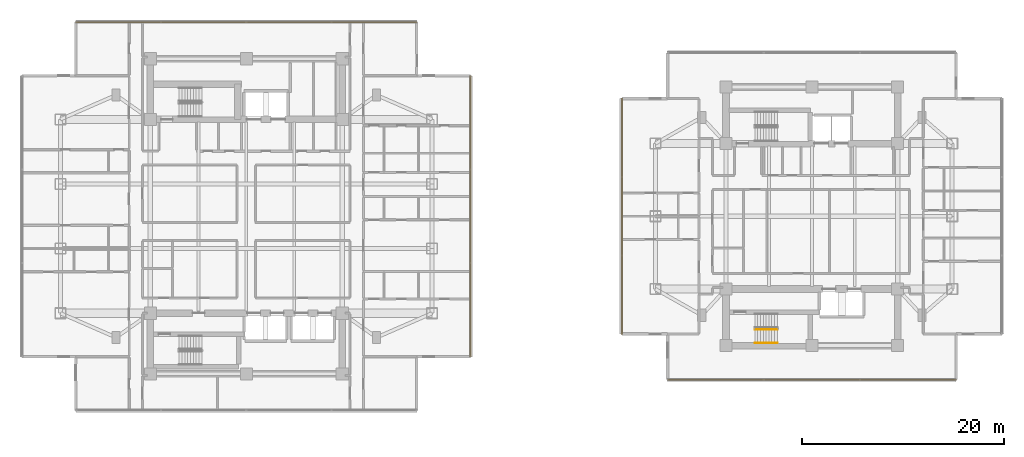
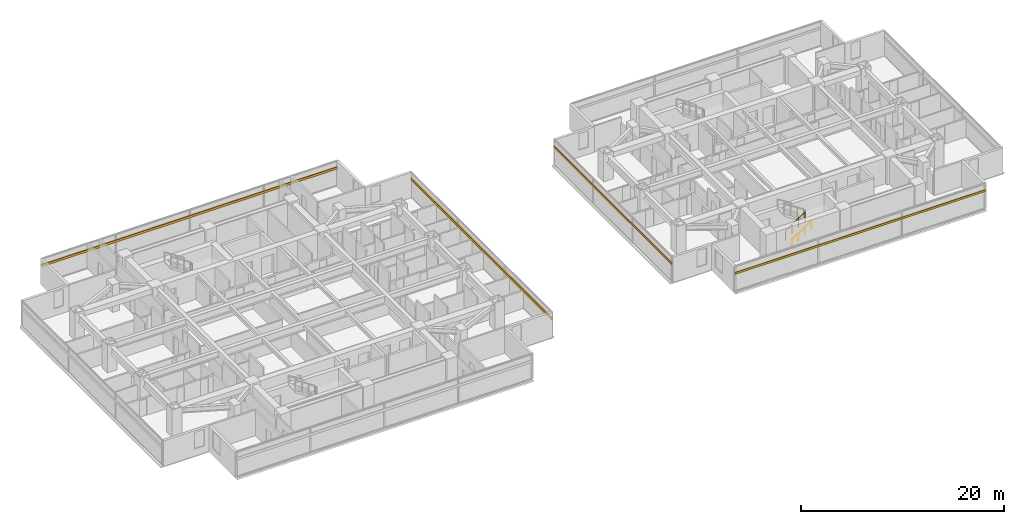
# One storey, part 23 of 25: 4 shading devices, 2 railings.
"""IFC4 building model written with IfcOpenShell, lengths in metres."""

from ifc_helpers import new_model, si_unit, direction, frame, origin, origin_2d, place, context, subcontext, project, spatial, rectangle, circle, extrude, material, material_profile, profile_set, type_object, element, save


model = new_model("IFC4")

# Units and contexts
model_context = context("Model", 3, precision=1e-05, world=origin(), true_north=direction((0.0, 1.0)))
body_context = subcontext(model_context, "Body", "Model", "MODEL_VIEW")
ifc_project = project(units=[si_unit("LENGTHUNIT", "METRE"), si_unit("AREAUNIT", "SQUARE_METRE"), si_unit("VOLUMEUNIT", "CUBIC_METRE"), si_unit("PLANEANGLEUNIT", "RADIAN"), si_unit("MASSUNIT", "GRAM", prefix="KILO")], contexts=[model_context])

# Site, building, storey
site_placement = place(None, origin())
site = spatial("IfcSite", under=ifc_project, at=site_placement, CompositionType="ELEMENT")
building_placement = place(site_placement, origin())
building = spatial("IfcBuilding", under=site, at=building_placement, Name="Mirazonda Arch Towers", CompositionType="ELEMENT")
storey_placement = place(building_placement, frame((0.0, 0.0, 111.5)))
storey = spatial("IfcBuildingStorey", under=building, at=storey_placement, Name="L31", CompositionType="ELEMENT", Elevation=111.5)

# Shading devices
ifc_material_1 = material(Name="Kiln-Fired Architectural Terracotta", Category="masonry")
ifc_material_profile_1 = material_profile(ifc_material_1, rectangle(XDim=0.1201171875, YDim=0.239990234375, at=origin_2d()), Name="TERRA-BAG-120x240")
ifc_profile_set_1 = profile_set([ifc_material_profile_1], Name="Kiln-Fired Architectural Terracotta")
shading_device_type_1 = type_object("IfcShadingDeviceType", Name="BAGUETTE-1", PredefinedType="USERDEFINED", material=ifc_profile_set_1)
shading_device_1_placement = place(storey_placement, frame((90.792236328125, 11.8193359375, 2.203125), z_axis=(-1.0, 0.0, 0.0), x_axis=(0.0, -1.0, 0.0)))
element("IfcShadingDevice", 1, at=shading_device_1_placement, inside=storey, type_object=shading_device_type_1, Name="L31 Glazed Terracotta Sun-Screen Baguette CW-L31-T2-S", ObjectType="BAGUETTE", PredefinedType="USERDEFINED", context=body_context, shape_type="SweptSolid", body=[
    extrude(rectangle(XDim=0.1201171875, YDim=0.239990234375, at=origin_2d()), origin(), (0.0, 0.0, 1.0), 28.58447265625),
])
shading_device_2_placement = place(storey_placement, frame((57.69140625, 39.664306640625, 2.203125), z_axis=(0.0, -1.0, 0.0), x_axis=(1.0, 0.0, 0.0)))
element("IfcShadingDevice", 2, at=shading_device_2_placement, inside=storey, type_object=shading_device_type_1, Name="L31 Glazed Terracotta Sun-Screen Baguette CW-L31-T2-W", ObjectType="BAGUETTE", PredefinedType="USERDEFINED", context=body_context, shape_type="SweptSolid", body=[
    extrude(rectangle(XDim=0.1201171875, YDim=0.239990234375, at=origin_2d()), origin(), (0.0, 0.0, 1.0), 23.32861328125),
])
ifc_material_profile_2 = material_profile(ifc_material_1, rectangle(XDim=0.139892578125, YDim=0.280029296875, at=origin_2d()), Name="TERRA-BAG-140x280")
ifc_profile_set_2 = profile_set([ifc_material_profile_2], Name="Kiln-Fired Architectural Terracotta")
shading_device_type_2 = type_object("IfcShadingDeviceType", Name="BAGUETTE-3", PredefinedType="USERDEFINED", material=ifc_profile_set_2)
shading_device_3_placement = place(storey_placement, frame((42.68994140625, 14.089111328125, 2.203125), z_axis=(0.0, 1.0, 0.0), x_axis=(-1.0, 0.0, 0.0)))
element("IfcShadingDevice", 3, at=shading_device_3_placement, inside=storey, type_object=shading_device_type_2, Name="L31 Glazed Terracotta Sun-Screen Baguette CW-L31-T1-E", ObjectType="BAGUETTE", PredefinedType="USERDEFINED", context=body_context, shape_type="SweptSolid", body=[
    extrude(rectangle(XDim=0.139892578125, YDim=0.280029296875, at=origin_2d()), origin(), (0.0, 0.0, 1.0), 27.82177734375),
])
shading_device_4_placement = place(storey_placement, frame((3.614990234375, 47.216064453125, 2.203125), z_axis=(1.0, 0.0, 0.0), x_axis=(0.0, 1.0, 0.0)))
element("IfcShadingDevice", 4, at=shading_device_4_placement, inside=storey, type_object=shading_device_type_2, Name="L31 Glazed Terracotta Sun-Screen Baguette CW-L31-T1-N", ObjectType="BAGUETTE", PredefinedType="USERDEFINED", context=body_context, shape_type="SweptSolid", body=[
    extrude(rectangle(XDim=0.139892578125, YDim=0.280029296875, at=origin_2d()), origin(), (0.0, 0.0, 1.0), 33.77001953125),
])

# Railings
ifc_material_2 = material(Name="Architectural Brushed Steel S355", Category="steel")
railing_type_1 = type_object("IfcRailingType", Name="GUARD-STAIR-1120", PredefinedType="GUARDRAIL", material=ifc_material_2)
railing_1_placement = place(storey_placement, frame((70.85009765625, 16.77001953125, 0.183349609375)))
element("IfcRailing", 5, at=railing_1_placement, inside=storey, type_object=railing_type_1, Name="L31 ST-T2S stair guard 1", PredefinedType="GUARDRAIL", context=body_context, shape_type="SweptSolid", body=[
    extrude(circle(Radius=0.02392578125, at=origin_2d()), frame((0.0, 0.0, 1.1259765625), z_axis=(0.836636935527, 0.0, 0.547757827979), x_axis=(0.0, 1.0, 0.0)), (0.0, 0.0, 1.0), 2.677490234375),
    extrude(circle(Radius=0.02099609375, at=origin_2d()), origin(), (0.0, 0.0, 1.0), 1.101806640625),
    extrude(circle(Radius=0.02099609375, at=origin_2d()), frame((0.74658203125, 0.0, 0.48876953125)), (0.0, 0.0, 1.0), 1.101806640625),
    extrude(circle(Radius=0.02099609375, at=origin_2d()), frame((1.493408203125, 0.0, 0.977783203125)), (0.0, 0.0, 1.0), 1.101806640625),
    extrude(circle(Radius=0.02099609375, at=origin_2d()), frame((2.239990234375, 0.0, 1.466552734375)), (0.0, 0.0, 1.0), 1.101806640625),
])
railing_type_2 = type_object("IfcRailingType", Name="HANDRAIL-915", PredefinedType="HANDRAIL", material=ifc_material_2)
railing_2_placement = place(storey_placement, frame((70.85009765625, 15.469970703125, 0.183349609375)))
element("IfcRailing", 6, at=railing_2_placement, inside=storey, type_object=railing_type_2, Name="L31 ST-T2S stair handrail 1", PredefinedType="HANDRAIL", context=body_context, shape_type="SweptSolid", body=[
    extrude(circle(Radius=0.02392578125, at=origin_2d()), frame((0.0, 0.0, 0.8759765625), z_axis=(0.836636935527, 0.0, 0.547757827979), x_axis=(0.0, 1.0, 0.0)), (0.0, 0.0, 1.0), 2.677490234375),
    extrude(circle(Radius=0.02099609375, at=origin_2d()), origin(), (0.0, 0.0, 1.0), 0.851806640625),
    extrude(circle(Radius=0.02099609375, at=origin_2d()), frame((0.74658203125, 0.0, 0.48876953125)), (0.0, 0.0, 1.0), 0.851806640625),
    extrude(circle(Radius=0.02099609375, at=origin_2d()), frame((1.493408203125, 0.0, 0.977783203125)), (0.0, 0.0, 1.0), 0.851806640625),
    extrude(circle(Radius=0.02099609375, at=origin_2d()), frame((2.239990234375, 0.0, 1.466552734375)), (0.0, 0.0, 1.0), 0.851806640625),
])

save(model, "model.ifc")
